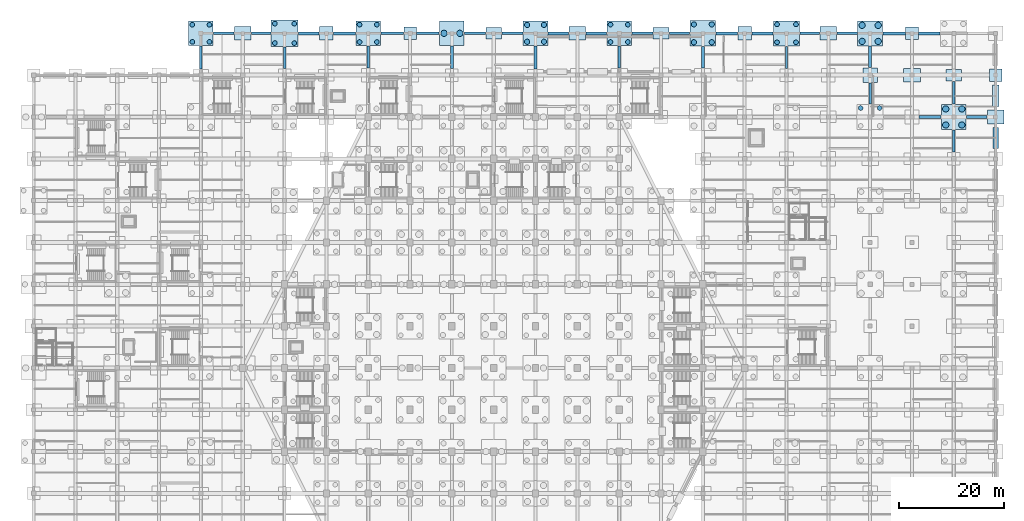
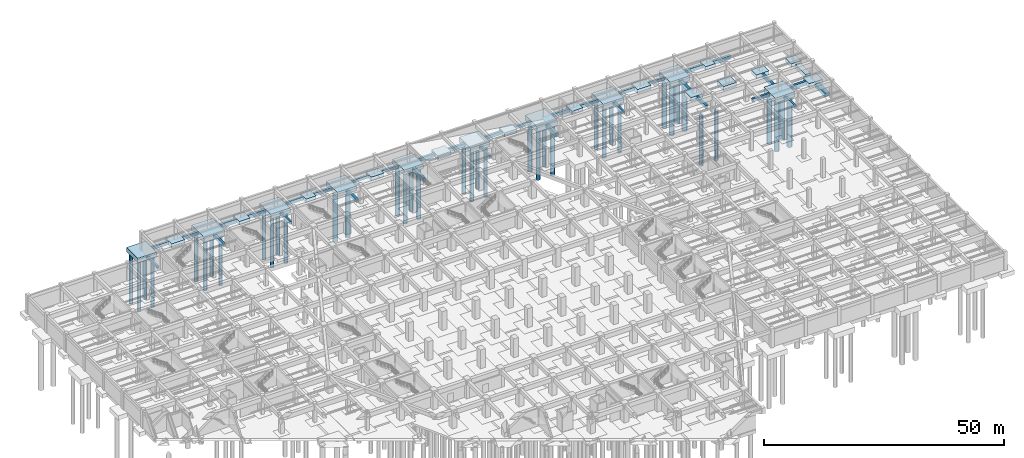
# One storey, part 15 of 36: 58 footings, 40 piles.
"""IFC4 building model written with IfcOpenShell, lengths in metres."""

from ifc_helpers import new_model, si_unit, direction, frame, origin, origin_2d, place, context, subcontext, project, spatial, rectangle, circle, extrude, material, material_profile, profile_set, type_object, element, save


model = new_model("IFC4")

# Units and contexts
model_context = context("Model", 3, precision=1e-05, world=origin(), true_north=direction((0.0, 1.0)))
body_context = subcontext(model_context, "Body", "Model", "MODEL_VIEW")
ifc_project = project(units=[si_unit("LENGTHUNIT", "METRE"), si_unit("AREAUNIT", "SQUARE_METRE"), si_unit("VOLUMEUNIT", "CUBIC_METRE"), si_unit("PLANEANGLEUNIT", "RADIAN"), si_unit("MASSUNIT", "GRAM", prefix="KILO")], contexts=[model_context])

# Site, building, storey
site_placement = place(None, origin())
site = spatial("IfcSite", under=ifc_project, at=site_placement, CompositionType="ELEMENT")
building_placement = place(site_placement, origin())
building = spatial("IfcBuilding", under=site, at=building_placement, Name="Tazarka Park Arena", CompositionType="ELEMENT")
storey_placement = place(building_placement, frame((0.0, 0.0, -4.800048828125)))
storey = spatial("IfcBuildingStorey", under=building, at=storey_placement, Name="B1", CompositionType="ELEMENT", Elevation=-4.800048828125)

# Footings
ifc_material_1 = material(Name="Concrete C35/45", Category="concrete")
footing_type_1 = type_object("IfcFootingType", Name="CAP-PC-01", PredefinedType="PILE_CAP", material=ifc_material_1)
for number, where, z_axis, x_axis, name in (
    (1, (64.0, 128.0, -1.19970703125), (0.0, 0.0, 1.0), (1.0, 0.0, 0.0), "CAP-G-08-16"),
    (2, (80.0, 128.0, -1.19970703125), (0.0, 0.0, 1.0), (1.0, 0.0, 0.0), "CAP-G-10-16"),
    (3, (96.0, 128.0, -1.19970703125), (0.0, 0.0, 1.0), (1.0, 0.0, 0.0), "CAP-G-12-16"),
    (4, (112.0, 128.0, -1.19970703125), (0.0, 0.0, 1.0), (1.0, 0.0, 0.0), "CAP-G-14-16"),
):
    element("IfcFooting", number, at=place(storey_placement, frame(where, z_axis=z_axis, x_axis=x_axis)), inside=storey, type_object=footing_type_1, Name=name, PredefinedType="PILE_CAP", context=body_context, shape_type="SweptSolid", body=[
        extrude(rectangle(XDim=4.699951171875, YDim=4.699951171875, at=origin_2d()), origin(), (0.0, 0.0, 1.0), 1.199951171875),
    ])
ifc_material_2 = material(Name="Concrete C35/45", Category="concrete")
footing_type_2 = type_object("IfcFootingType", Name="CAP-PC-02", PredefinedType="PILE_CAP", material=ifc_material_2)
footing_1_placement = place(storey_placement, frame((128.0, 128.0, -1.39990234375), z_axis=(0.0, 0.0, 1.0), x_axis=(1.0, 0.0, 0.0)))
element("IfcFooting", 5, at=footing_1_placement, inside=storey, type_object=footing_type_2, Name="CAP-G-16-16", PredefinedType="PILE_CAP", context=body_context, shape_type="SweptSolid", body=[
    extrude(rectangle(XDim=4.89990234375, YDim=4.89990234375, at=origin_2d()), origin(), (0.0, 0.0, 1.0), 1.39990234375),
])
ifc_material_3 = material(Name="Concrete C35/45", Category="concrete")
footing_type_3 = type_object("IfcFootingType", Name="CAP-PC-04", PredefinedType="PILE_CAP", material=ifc_material_3)
footing_2_placement = place(storey_placement, frame((144.0, 128.0, -1.2998046875), z_axis=(0.0, 0.0, 1.0), x_axis=(1.0, 0.0, 0.0)))
element("IfcFooting", 6, at=footing_2_placement, inside=storey, type_object=footing_type_3, Name="CAP-G-18-16", PredefinedType="PILE_CAP", context=body_context, shape_type="SweptSolid", body=[
    extrude(rectangle(XDim=5.0, YDim=4.800048828125, at=origin_2d()), origin(), (0.0, 0.0, 1.0), 1.300048828125),
])
ifc_material_4 = material(Name="Concrete C35/45", Category="concrete")
footing_type_4 = type_object("IfcFootingType", Name="CAP-PC-06", PredefinedType="PILE_CAP", material=ifc_material_4)
for number, where, z_axis, x_axis, name in (
    (7, (160.0, 128.0, -1.25), (0.0, 0.0, 1.0), (1.0, 0.0, 0.0), "CAP-G-20-16"),
    (8, (176.0, 112.0, -1.25), (0.0, 0.0, 1.0), (1.0, 0.0, 0.0), "CAP-G-22-14"),
):
    element("IfcFooting", number, at=place(storey_placement, frame(where, z_axis=z_axis, x_axis=x_axis)), inside=storey, type_object=footing_type_4, Name=name, PredefinedType="PILE_CAP", context=body_context, shape_type="SweptSolid", body=[
        extrude(rectangle(XDim=4.75, YDim=4.75, at=origin_2d()), origin(), (0.0, 0.0, 1.0), 1.25),
    ])
ifc_material_5 = material(Name="Concrete C35/45", Category="concrete")
footing_type_5 = type_object("IfcFootingType", Name="CAP-PC-07", PredefinedType="PILE_CAP", material=ifc_material_5)
footing_3_placement = place(storey_placement, frame((32.0, 128.0, -1.14990234375), z_axis=(0.0, 0.0, 1.0), x_axis=(1.0, 0.0, 0.0)))
element("IfcFooting", 9, at=footing_3_placement, inside=storey, type_object=footing_type_5, Name="CAP-G-04-16", PredefinedType="PILE_CAP", context=body_context, shape_type="SweptSolid", body=[
    extrude(rectangle(XDim=4.64990234375, YDim=4.64990234375, at=origin_2d()), origin(), (0.0, 0.0, 1.0), 1.14990234375),
])
ifc_material_6 = material(Name="Concrete C35/45", Category="concrete")
footing_type_6 = type_object("IfcFootingType", Name="CAP-PC-08", PredefinedType="PILE_CAP", material=ifc_material_6)
footing_4_placement = place(storey_placement, frame((48.0, 128.0, -1.35009765625), z_axis=(0.0, 0.0, 1.0), x_axis=(1.0, 0.0, 0.0)))
element("IfcFooting", 10, at=footing_4_placement, inside=storey, type_object=footing_type_6, Name="CAP-G-06-16", PredefinedType="PILE_CAP", context=body_context, shape_type="SweptSolid", body=[
    extrude(rectangle(XDim=5.10009765625, YDim=5.10009765625, at=origin_2d()), origin(), (0.0, 0.0, 1.0), 1.35009765625),
])
ifc_material_7 = material(Name="Concrete C35/45", Category="concrete")
ifc_material_profile_1 = material_profile(ifc_material_7, rectangle(XDim=0.449951171875, YDim=0.699951171875, at=origin_2d()), Name="Concrete C35/45")
ifc_profile_set_1 = profile_set([ifc_material_profile_1], Name="Concrete C35/45")
footing_type_7 = type_object("IfcFootingType", Name="GB-GB-01", PredefinedType="FOOTING_BEAM", material=ifc_profile_set_1)
footing_5_placement = place(storey_placement, frame((32.0, 121.179931640625, -0.349853515625), z_axis=(0.0, 1.0, 0.0), x_axis=(-1.0, 0.0, 0.0)))
element("IfcFooting", 11, at=footing_5_placement, inside=storey, type_object=footing_type_7, Name="GB-Y-04-15", PredefinedType="FOOTING_BEAM", context=body_context, shape_type="SweptSolid", body=[
    extrude(rectangle(XDim=0.449951171875, YDim=0.699951171875, at=origin_2d()), origin(), (0.0, 0.0, 1.0), 4.4150390625),
])
footing_6_placement = place(storey_placement, frame((64.0, 121.3798828125, -0.349853515625), z_axis=(0.0, 1.0, 0.0), x_axis=(-1.0, 0.0, 0.0)))
element("IfcFooting", 12, at=footing_6_placement, inside=storey, type_object=footing_type_7, Name="GB-Y-08-15", PredefinedType="FOOTING_BEAM", context=body_context, shape_type="SweptSolid", body=[
    extrude(rectangle(XDim=0.449951171875, YDim=0.699951171875, at=origin_2d()), origin(), (0.0, 0.0, 1.0), 4.190185546875),
])
for number, where, z_axis, x_axis, name in (
    (13, (82.429931640625, 128.0, -0.349853515625), (1.0, 0.0, 0.0), (0.0, 1.0, 0.0), "GB-X-10-16"),
    (14, (89.580078125, 128.0, -0.349853515625), (1.0, 0.0, 0.0), (0.0, 1.0, 0.0), "GB-X-11-16"),
):
    element("IfcFooting", number, at=place(storey_placement, frame(where, z_axis=z_axis, x_axis=x_axis)), inside=storey, type_object=footing_type_7, Name=name, PredefinedType="FOOTING_BEAM", context=body_context, shape_type="SweptSolid", body=[
        extrude(rectangle(XDim=0.449951171875, YDim=0.699951171875, at=origin_2d()), origin(), (0.0, 0.0, 1.0), 3.989990234375),
    ])
footing_7_placement = place(storey_placement, frame((112.0, 121.3798828125, -0.349853515625), z_axis=(0.0, 1.0, 0.0), x_axis=(-1.0, 0.0, 0.0)))
element("IfcFooting", 15, at=footing_7_placement, inside=storey, type_object=footing_type_7, Name="GB-Y-14-15", PredefinedType="FOOTING_BEAM", context=body_context, shape_type="SweptSolid", body=[
    extrude(rectangle(XDim=0.449951171875, YDim=0.699951171875, at=origin_2d()), origin(), (0.0, 0.0, 1.0), 4.190185546875),
])
footing_8_placement = place(storey_placement, frame((121.580078125, 128.0, -0.349853515625), z_axis=(1.0, 0.0, 0.0), x_axis=(0.0, 1.0, 0.0)))
element("IfcFooting", 16, at=footing_8_placement, inside=storey, type_object=footing_type_7, Name="GB-X-15-16", PredefinedType="FOOTING_BEAM", context=body_context, shape_type="SweptSolid", body=[
    extrude(rectangle(XDim=0.449951171875, YDim=0.699951171875, at=origin_2d()), origin(), (0.0, 0.0, 1.0), 3.889892578125),
])
footing_9_placement = place(storey_placement, frame((144.0, 121.280029296875, -0.349853515625), z_axis=(0.0, 1.0, 0.0), x_axis=(-1.0, 0.0, 0.0)))
element("IfcFooting", 17, at=footing_9_placement, inside=storey, type_object=footing_type_7, Name="GB-Y-18-15", PredefinedType="FOOTING_BEAM", context=body_context, shape_type="SweptSolid", body=[
    extrude(rectangle(XDim=0.449951171875, YDim=0.699951171875, at=origin_2d()), origin(), (0.0, 0.0, 1.0), 4.239990234375),
])
footing_10_placement = place(storey_placement, frame((153.679931640625, 128.0, -0.349853515625), z_axis=(1.0, 0.0, 0.0), x_axis=(0.0, 1.0, 0.0)))
element("IfcFooting", 18, at=footing_10_placement, inside=storey, type_object=footing_type_7, Name="GB-X-19-16", PredefinedType="FOOTING_BEAM", context=body_context, shape_type="SweptSolid", body=[
    extrude(rectangle(XDim=0.449951171875, YDim=0.699951171875, at=origin_2d()), origin(), (0.0, 0.0, 1.0), 3.864990234375),
])
ifc_material_8 = material(Name="Concrete C35/45", Category="concrete")
ifc_material_profile_2 = material_profile(ifc_material_8, rectangle(XDim=0.5, YDim=0.800048828125, at=origin_2d()), Name="Concrete C35/45")
ifc_profile_set_2 = profile_set([ifc_material_profile_2], Name="Concrete C35/45")
footing_type_8 = type_object("IfcFootingType", Name="GB-GB-02", PredefinedType="FOOTING_BEAM", material=ifc_profile_set_2)
footing_11_placement = place(storey_placement, frame((34.405029296875, 128.0, -0.39990234375), z_axis=(1.0, 0.0, 0.0), x_axis=(0.0, 1.0, 0.0)))
element("IfcFooting", 19, at=footing_11_placement, inside=storey, type_object=footing_type_8, Name="GB-X-04-16", PredefinedType="FOOTING_BEAM", context=body_context, shape_type="SweptSolid", body=[
    extrude(rectangle(XDim=0.5, YDim=0.800048828125, at=origin_2d()), origin(), (0.0, 0.0, 1.0), 3.9150390625),
])
footing_12_placement = place(storey_placement, frame((41.679931640625, 128.0, -0.39990234375), z_axis=(1.0, 0.0, 0.0), x_axis=(0.0, 1.0, 0.0)))
element("IfcFooting", 20, at=footing_12_placement, inside=storey, type_object=footing_type_8, Name="GB-X-05-16", PredefinedType="FOOTING_BEAM", context=body_context, shape_type="SweptSolid", body=[
    extrude(rectangle(XDim=0.5, YDim=0.800048828125, at=origin_2d()), origin(), (0.0, 0.0, 1.0), 3.690185546875),
])
footing_13_placement = place(storey_placement, frame((48.0, 121.280029296875, -0.39990234375), z_axis=(0.0, 1.0, 0.0), x_axis=(-1.0, 0.0, 0.0)))
element("IfcFooting", 21, at=footing_13_placement, inside=storey, type_object=footing_type_8, Name="GB-Y-06-15", PredefinedType="FOOTING_BEAM", context=body_context, shape_type="SweptSolid", body=[
    extrude(rectangle(XDim=0.5, YDim=0.800048828125, at=origin_2d()), origin(), (0.0, 0.0, 1.0), 4.090087890625),
])
for number, where, z_axis, x_axis, name in (
    (22, (66.429931640625, 128.0, -0.39990234375), (1.0, 0.0, 0.0), (0.0, 1.0, 0.0), "GB-X-08-16"),
    (23, (73.280029296875, 128.0, -0.39990234375), (1.0, 0.0, 0.0), (0.0, 1.0, 0.0), "GB-X-09-16"),
):
    element("IfcFooting", number, at=place(storey_placement, frame(where, z_axis=z_axis, x_axis=x_axis)), inside=storey, type_object=footing_type_8, Name=name, PredefinedType="FOOTING_BEAM", context=body_context, shape_type="SweptSolid", body=[
        extrude(rectangle(XDim=0.5, YDim=0.800048828125, at=origin_2d()), origin(), (0.0, 0.0, 1.0), 4.2900390625),
    ])
footing_14_placement = place(storey_placement, frame((114.429931640625, 128.0, -0.39990234375), z_axis=(1.0, 0.0, 0.0), x_axis=(0.0, 1.0, 0.0)))
element("IfcFooting", 24, at=footing_14_placement, inside=storey, type_object=footing_type_8, Name="GB-X-14-16", PredefinedType="FOOTING_BEAM", context=body_context, shape_type="SweptSolid", body=[
    extrude(rectangle(XDim=0.5, YDim=0.800048828125, at=origin_2d()), origin(), (0.0, 0.0, 1.0), 3.989990234375),
])
footing_15_placement = place(storey_placement, frame((146.580078125, 128.0, -0.39990234375), z_axis=(1.0, 0.0, 0.0), x_axis=(0.0, 1.0, 0.0)))
element("IfcFooting", 25, at=footing_15_placement, inside=storey, type_object=footing_type_8, Name="GB-X-18-16", PredefinedType="FOOTING_BEAM", context=body_context, shape_type="SweptSolid", body=[
    extrude(rectangle(XDim=0.5, YDim=0.800048828125, at=origin_2d()), origin(), (0.0, 0.0, 1.0), 3.739990234375),
])
footing_16_placement = place(storey_placement, frame((160.0, 114.47998046875, -0.39990234375), z_axis=(0.0, 1.0, 0.0), x_axis=(-1.0, 0.0, 0.0)))
element("IfcFooting", 26, at=footing_16_placement, inside=storey, type_object=footing_type_8, Name="GB-Y-20-14", PredefinedType="FOOTING_BEAM", context=body_context, shape_type="SweptSolid", body=[
    extrude(rectangle(XDim=0.5, YDim=0.800048828125, at=origin_2d()), origin(), (0.0, 0.0, 1.0), 4.0400390625),
])
footing_17_placement = place(storey_placement, frame((169.3798828125, 112.0, -0.39990234375), z_axis=(1.0, 0.0, 0.0), x_axis=(0.0, 1.0, 0.0)))
element("IfcFooting", 27, at=footing_17_placement, inside=storey, type_object=footing_type_8, Name="GB-X-21-14", PredefinedType="FOOTING_BEAM", context=body_context, shape_type="SweptSolid", body=[
    extrude(rectangle(XDim=0.5, YDim=0.800048828125, at=origin_2d()), origin(), (0.0, 0.0, 1.0), 4.1650390625),
])
footing_18_placement = place(storey_placement, frame((176.0, 105.280029296875, -0.39990234375), z_axis=(0.0, 1.0, 0.0), x_axis=(-1.0, 0.0, 0.0)))
element("IfcFooting", 28, at=footing_18_placement, inside=storey, type_object=footing_type_8, Name="GB-Y-22-13", PredefinedType="FOOTING_BEAM", context=body_context, shape_type="SweptSolid", body=[
    extrude(rectangle(XDim=0.5, YDim=0.800048828125, at=origin_2d()), origin(), (0.0, 0.0, 1.0), 4.264892578125),
])
ifc_material_9 = material(Name="Concrete C35/45", Category="concrete")
ifc_material_profile_3 = material_profile(ifc_material_9, rectangle(XDim=0.60009765625, YDim=0.949951171875, at=origin_2d()), Name="Concrete C35/45")
ifc_profile_set_3 = profile_set([ifc_material_profile_3], Name="Concrete C35/45")
footing_type_9 = type_object("IfcFootingType", Name="GB-GB-03", PredefinedType="FOOTING_BEAM", material=ifc_profile_set_3)
footing_19_placement = place(storey_placement, frame((50.6298828125, 128.0, -0.474853515625), z_axis=(1.0, 0.0, 0.0), x_axis=(0.0, 1.0, 0.0)))
element("IfcFooting", 29, at=footing_19_placement, inside=storey, type_object=footing_type_9, Name="GB-X-06-16", PredefinedType="FOOTING_BEAM", context=body_context, shape_type="SweptSolid", body=[
    extrude(rectangle(XDim=0.60009765625, YDim=0.949951171875, at=origin_2d()), origin(), (0.0, 0.0, 1.0), 3.990234375),
])
footing_20_placement = place(storey_placement, frame((57.3798828125, 128.0, -0.474853515625), z_axis=(1.0, 0.0, 0.0), x_axis=(0.0, 1.0, 0.0)))
element("IfcFooting", 30, at=footing_20_placement, inside=storey, type_object=footing_type_9, Name="GB-X-07-16", PredefinedType="FOOTING_BEAM", context=body_context, shape_type="SweptSolid", body=[
    extrude(rectangle(XDim=0.60009765625, YDim=0.949951171875, at=origin_2d()), origin(), (0.0, 0.0, 1.0), 4.190185546875),
])
footing_21_placement = place(storey_placement, frame((96.0, 121.179931640625, -0.474853515625), z_axis=(0.0, 1.0, 0.0), x_axis=(-1.0, 0.0, 0.0)))
element("IfcFooting", 31, at=footing_21_placement, inside=storey, type_object=footing_type_9, Name="GB-Y-12-15", PredefinedType="FOOTING_BEAM", context=body_context, shape_type="SweptSolid", body=[
    extrude(rectangle(XDim=0.60009765625, YDim=0.949951171875, at=origin_2d()), origin(), (0.0, 0.0, 1.0), 4.39013671875),
])
footing_22_placement = place(storey_placement, frame((128.0, 121.3798828125, -0.474853515625), z_axis=(0.0, 1.0, 0.0), x_axis=(-1.0, 0.0, 0.0)))
element("IfcFooting", 32, at=footing_22_placement, inside=storey, type_object=footing_type_9, Name="GB-Y-16-15", PredefinedType="FOOTING_BEAM", context=body_context, shape_type="SweptSolid", body=[
    extrude(rectangle(XDim=0.60009765625, YDim=0.949951171875, at=origin_2d()), origin(), (0.0, 0.0, 1.0), 4.090087890625),
])
footing_23_placement = place(storey_placement, frame((137.3798828125, 128.0, -0.474853515625), z_axis=(1.0, 0.0, 0.0), x_axis=(0.0, 1.0, 0.0)))
element("IfcFooting", 33, at=footing_23_placement, inside=storey, type_object=footing_type_9, Name="GB-X-17-16", PredefinedType="FOOTING_BEAM", context=body_context, shape_type="SweptSolid", body=[
    extrude(rectangle(XDim=0.60009765625, YDim=0.949951171875, at=origin_2d()), origin(), (0.0, 0.0, 1.0), 4.0400390625),
])
footing_24_placement = place(storey_placement, frame((160.0, 121.47998046875, -0.474853515625), z_axis=(0.0, 1.0, 0.0), x_axis=(-1.0, 0.0, 0.0)))
element("IfcFooting", 34, at=footing_24_placement, inside=storey, type_object=footing_type_9, Name="GB-Y-20-15", PredefinedType="FOOTING_BEAM", context=body_context, shape_type="SweptSolid", body=[
    extrude(rectangle(XDim=0.60009765625, YDim=0.949951171875, at=origin_2d()), origin(), (0.0, 0.0, 1.0), 4.06494140625),
])
footing_25_placement = place(storey_placement, frame((169.280029296875, 128.0, -0.474853515625), z_axis=(1.0, 0.0, 0.0), x_axis=(0.0, 1.0, 0.0)))
element("IfcFooting", 35, at=footing_25_placement, inside=storey, type_object=footing_type_9, Name="GB-X-21-16", PredefinedType="FOOTING_BEAM", context=body_context, shape_type="SweptSolid", body=[
    extrude(rectangle(XDim=0.60009765625, YDim=0.949951171875, at=origin_2d()), origin(), (0.0, 0.0, 1.0), 4.090087890625),
])
footing_26_placement = place(storey_placement, frame((178.455078125, 112.0, -0.474853515625), z_axis=(1.0, 0.0, 0.0), x_axis=(0.0, 1.0, 0.0)))
element("IfcFooting", 36, at=footing_26_placement, inside=storey, type_object=footing_type_9, Name="GB-X-22-14", PredefinedType="FOOTING_BEAM", context=body_context, shape_type="SweptSolid", body=[
    extrude(rectangle(XDim=0.60009765625, YDim=0.949951171875, at=origin_2d()), origin(), (0.0, 0.0, 1.0), 3.864990234375),
])
ifc_material_10 = material(Name="Concrete C35/45", Category="concrete")
ifc_material_profile_4 = material_profile(ifc_material_10, rectangle(XDim=0.550048828125, YDim=0.85009765625, at=origin_2d()), Name="Concrete C35/45")
ifc_profile_set_4 = profile_set([ifc_material_profile_4], Name="Concrete C35/45")
footing_type_10 = type_object("IfcFootingType", Name="GB-GB-04", PredefinedType="FOOTING_BEAM", material=ifc_profile_set_4)
footing_27_placement = place(storey_placement, frame((80.0, 121.280029296875, -0.425048828125), z_axis=(0.0, 1.0, 0.0), x_axis=(-1.0, 0.0, 0.0)))
element("IfcFooting", 37, at=footing_27_placement, inside=storey, type_object=footing_type_10, Name="GB-Y-10-15", PredefinedType="FOOTING_BEAM", context=body_context, shape_type="SweptSolid", body=[
    extrude(rectangle(XDim=0.550048828125, YDim=0.85009765625, at=origin_2d()), origin(), (0.0, 0.0, 1.0), 4.2900390625),
])
for number, where, z_axis, x_axis, name in (
    (38, (98.429931640625, 128.0, -0.425048828125), (1.0, 0.0, 0.0), (0.0, 1.0, 0.0), "GB-X-12-16"),
    (39, (105.679931640625, 128.0, -0.425048828125), (1.0, 0.0, 0.0), (0.0, 1.0, 0.0), "GB-X-13-16"),
):
    element("IfcFooting", number, at=place(storey_placement, frame(where, z_axis=z_axis, x_axis=x_axis)), inside=storey, type_object=footing_type_10, Name=name, PredefinedType="FOOTING_BEAM", context=body_context, shape_type="SweptSolid", body=[
        extrude(rectangle(XDim=0.550048828125, YDim=0.85009765625, at=origin_2d()), origin(), (0.0, 0.0, 1.0), 3.89013671875),
    ])
footing_28_placement = place(storey_placement, frame((130.530029296875, 128.0, -0.425048828125), z_axis=(1.0, 0.0, 0.0), x_axis=(0.0, 1.0, 0.0)))
element("IfcFooting", 40, at=footing_28_placement, inside=storey, type_object=footing_type_10, Name="GB-X-16-16", PredefinedType="FOOTING_BEAM", context=body_context, shape_type="SweptSolid", body=[
    extrude(rectangle(XDim=0.550048828125, YDim=0.85009765625, at=origin_2d()), origin(), (0.0, 0.0, 1.0), 4.090087890625),
])
footing_29_placement = place(storey_placement, frame((162.455078125, 128.0, -0.425048828125), z_axis=(1.0, 0.0, 0.0), x_axis=(0.0, 1.0, 0.0)))
element("IfcFooting", 41, at=footing_29_placement, inside=storey, type_object=footing_type_10, Name="GB-X-20-16", PredefinedType="FOOTING_BEAM", context=body_context, shape_type="SweptSolid", body=[
    extrude(rectangle(XDim=0.550048828125, YDim=0.85009765625, at=origin_2d()), origin(), (0.0, 0.0, 1.0), 4.264892578125),
])
footing_30_placement = place(storey_placement, frame((176.0, 114.455078125, -0.425048828125), z_axis=(0.0, 1.0, 0.0), x_axis=(-1.0, 0.0, 0.0)))
element("IfcFooting", 42, at=footing_30_placement, inside=storey, type_object=footing_type_10, Name="GB-Y-22-14", PredefinedType="FOOTING_BEAM", context=body_context, shape_type="SweptSolid", body=[
    extrude(rectangle(XDim=0.550048828125, YDim=0.85009765625, at=origin_2d()), origin(), (0.0, 0.0, 1.0), 4.364990234375),
])
ifc_material_11 = material(Name="Concrete C35/45", Category="concrete")
footing_type_11 = type_object("IfcFootingType", Name="PAD-PF-01", PredefinedType="PAD_FOOTING", material=ifc_material_11)
for number, where, z_axis, x_axis, name in (
    (43, (72.0, 128.0, -0.89990234375), (0.0, 0.0, 1.0), (1.0, 0.0, 0.0), "PAD-G-09-16"),
    (44, (168.0, 128.0, -0.89990234375), (0.0, 0.0, 1.0), (1.0, 0.0, 0.0), "PAD-G-21-16"),
    (45, (184.0, 120.0, -0.89990234375), (0.0, 0.0, 1.0), (1.0, 0.0, 0.0), "PAD-G-23-15"),
):
    element("IfcFooting", number, at=place(storey_placement, frame(where, z_axis=z_axis, x_axis=x_axis)), inside=storey, type_object=footing_type_11, Name=name, PredefinedType="PAD_FOOTING", context=body_context, shape_type="SweptSolid", body=[
        extrude(rectangle(XDim=2.39990234375, YDim=2.39990234375, at=origin_2d()), origin(), (0.0, 0.0, 1.0), 0.89990234375),
    ])
ifc_material_12 = material(Name="Concrete C35/45", Category="concrete")
footing_type_12 = type_object("IfcFootingType", Name="PAD-PF-02", PredefinedType="PAD_FOOTING", material=ifc_material_12)
footing_31_placement = place(storey_placement, frame((160.0, 120.0, -1.0), z_axis=(0.0, 0.0, 1.0), x_axis=(1.0, 0.0, 0.0)))
element("IfcFooting", 46, at=footing_31_placement, inside=storey, type_object=footing_type_12, Name="PAD-G-20-15", PredefinedType="PAD_FOOTING", context=body_context, shape_type="SweptSolid", body=[
    extrude(rectangle(XDim=2.800048828125, YDim=2.800048828125, at=origin_2d()), origin(), (0.0, 0.0, 1.0), 1.0),
])
ifc_material_13 = material(Name="Concrete C35/45", Category="concrete")
footing_type_13 = type_object("IfcFootingType", Name="PAD-PF-03", PredefinedType="PAD_FOOTING", material=ifc_material_13)
for number, where, z_axis, x_axis, name in (
    (47, (88.0, 128.0, -0.94970703125), (0.0, 0.0, 1.0), (1.0, 0.0, 0.0), "PAD-G-11-16"),
    (48, (120.0, 128.0, -0.94970703125), (0.0, 0.0, 1.0), (1.0, 0.0, 0.0), "PAD-G-15-16"),
    (49, (176.0, 120.0, -0.94970703125), (0.0, 0.0, 1.0), (1.0, 0.0, 0.0), "PAD-G-22-15"),
):
    element("IfcFooting", number, at=place(storey_placement, frame(where, z_axis=z_axis, x_axis=x_axis)), inside=storey, type_object=footing_type_13, Name=name, PredefinedType="PAD_FOOTING", context=body_context, shape_type="SweptSolid", body=[
        extrude(rectangle(XDim=3.0, YDim=2.199951171875, at=origin_2d()), origin(), (0.0, 0.0, 1.0), 0.949951171875),
    ])
ifc_material_14 = material(Name="Concrete C35/45", Category="concrete")
footing_type_14 = type_object("IfcFootingType", Name="PAD-PF-04", PredefinedType="PAD_FOOTING", material=ifc_material_14)
for number, where, z_axis, x_axis, name in (
    (50, (56.0, 128.0, -0.919921875), (0.0, 0.0, 1.0), (1.0, 0.0, 0.0), "PAD-G-07-16"),
    (51, (136.0, 128.0, -0.919921875), (0.0, 0.0, 1.0), (1.0, 0.0, 0.0), "PAD-G-17-16"),
):
    element("IfcFooting", number, at=place(storey_placement, frame(where, z_axis=z_axis, x_axis=x_axis)), inside=storey, type_object=footing_type_14, Name=name, PredefinedType="PAD_FOOTING", context=body_context, shape_type="SweptSolid", body=[
        extrude(rectangle(XDim=2.60009765625, YDim=2.60009765625, at=origin_2d()), origin(), (0.0, 0.0, 1.0), 0.919921875),
    ])
ifc_material_15 = material(Name="Concrete C35/45", Category="concrete")
footing_type_15 = type_object("IfcFootingType", Name="PAD-PF-05", PredefinedType="PAD_FOOTING", material=ifc_material_15)
for number, where, z_axis, x_axis, name in (
    (52, (40.0, 128.0, -1.0498046875), (0.0, 0.0, 1.0), (1.0, 0.0, 0.0), "PAD-G-05-16"),
    (53, (104.0, 128.0, -1.0498046875), (0.0, 0.0, 1.0), (1.0, 0.0, 0.0), "PAD-G-13-16"),
    (54, (152.0, 128.0, -1.0498046875), (0.0, 0.0, 1.0), (1.0, 0.0, 0.0), "PAD-G-19-16"),
    (55, (168.0, 120.0, -1.0498046875), (0.0, 0.0, 1.0), (1.0, 0.0, 0.0), "PAD-G-21-15"),
    (56, (184.0, 112.0, -1.0498046875), (0.0, 0.0, 1.0), (1.0, 0.0, 0.0), "PAD-G-23-14"),
):
    element("IfcFooting", number, at=place(storey_placement, frame(where, z_axis=z_axis, x_axis=x_axis)), inside=storey, type_object=footing_type_15, Name=name, PredefinedType="PAD_FOOTING", context=body_context, shape_type="SweptSolid", body=[
        extrude(rectangle(XDim=3.199951171875, YDim=2.60009765625, at=origin_2d()), origin(), (0.0, 0.0, 1.0), 1.050048828125),
    ])

# Piles
ifc_material_16 = material(Name="Concrete C35/45", Category="concrete")
ifc_material_profile_5 = material_profile(ifc_material_16, circle(Radius=0.5, at=origin_2d()), Name="Concrete C35/45")
ifc_profile_set_5 = profile_set([ifc_material_profile_5], Name="Concrete C35/45")
pile_type_1 = type_object("IfcPileType", Name="PILE-D1000", PredefinedType="BORED", material=ifc_profile_set_5)
for number, where, z_axis, x_axis, name in (
    (57, (94.389892578125, 126.389892578125, -1.099853515625), (0.0, 0.0, -1.0), (1.0, 0.0, 0.0), "PLN-G-12-16-1"),
    (58, (97.610107421875, 126.389892578125, -1.099853515625), (0.0, 0.0, -1.0), (1.0, 0.0, 0.0), "PLN-G-12-16-2"),
    (59, (94.389892578125, 129.610107421875, -1.099853515625), (0.0, 0.0, -1.0), (1.0, 0.0, 0.0), "PLN-G-12-16-3"),
    (60, (97.610107421875, 129.610107421875, -1.099853515625), (0.0, 0.0, -1.0), (1.0, 0.0, 0.0), "PLN-G-12-16-4"),
):
    element("IfcPile", number, at=place(storey_placement, frame(where, z_axis=z_axis, x_axis=x_axis)), inside=storey, type_object=pile_type_1, Name=name, PredefinedType="BORED", context=body_context, shape_type="SweptSolid", body=[
        extrude(circle(Radius=0.5, at=origin_2d()), origin(), (0.0, 0.0, 1.0), 12.89990234375),
    ])
for number, where, z_axis, x_axis, name in (
    (61, (126.2900390625, 126.2900390625, -1.300048828125), (0.0, 0.0, -1.0), (1.0, 0.0, 0.0), "PLN-G-16-16-1"),
    (62, (129.7099609375, 126.2900390625, -1.300048828125), (0.0, 0.0, -1.0), (1.0, 0.0, 0.0), "PLN-G-16-16-2"),
    (63, (126.2900390625, 129.7099609375, -1.300048828125), (0.0, 0.0, -1.0), (1.0, 0.0, 0.0), "PLN-G-16-16-3"),
    (64, (129.7099609375, 129.7099609375, -1.300048828125), (0.0, 0.0, -1.0), (1.0, 0.0, 0.0), "PLN-G-16-16-4"),
):
    element("IfcPile", number, at=place(storey_placement, frame(where, z_axis=z_axis, x_axis=x_axis)), inside=storey, type_object=pile_type_1, Name=name, PredefinedType="BORED", context=body_context, shape_type="SweptSolid", body=[
        extrude(circle(Radius=0.5, at=origin_2d()), origin(), (0.0, 0.0, 1.0), 12.699951171875),
    ])
ifc_material_17 = material(Name="Concrete C35/45", Category="concrete")
ifc_material_profile_6 = material_profile(ifc_material_17, circle(Radius=0.60009765625, at=origin_2d()), Name="Concrete C35/45")
ifc_profile_set_6 = profile_set([ifc_material_profile_6], Name="Concrete C35/45")
pile_type_2 = type_object("IfcPileType", Name="PILE-D1200", PredefinedType="BORED", material=ifc_profile_set_6)
for number, where, z_axis, x_axis, name in (
    (65, (78.489990234375, 128.0, -1.099853515625), (0.0, 0.0, -1.0), (1.0, 0.0, 0.0), "PLN-G-10-16-1"),
    (66, (81.510009765625, 128.0, -1.099853515625), (0.0, 0.0, -1.0), (1.0, 0.0, 0.0), "PLN-G-10-16-2"),
):
    element("IfcPile", number, at=place(storey_placement, frame(where, z_axis=z_axis, x_axis=x_axis)), inside=storey, type_object=pile_type_2, Name=name, PredefinedType="BORED", context=body_context, shape_type="SweptSolid", body=[
        extrude(circle(Radius=0.60009765625, at=origin_2d()), origin(), (0.0, 0.0, 1.0), 12.89990234375),
    ])
for number, where, z_axis, x_axis, name in (
    (67, (158.465087890625, 126.465087890625, -1.14990234375), (0.0, 0.0, -1.0), (1.0, 0.0, 0.0), "PLN-G-20-16-1"),
    (68, (161.534912109375, 126.465087890625, -1.14990234375), (0.0, 0.0, -1.0), (1.0, 0.0, 0.0), "PLN-G-20-16-2"),
    (69, (158.465087890625, 129.534912109375, -1.14990234375), (0.0, 0.0, -1.0), (1.0, 0.0, 0.0), "PLN-G-20-16-3"),
    (70, (161.534912109375, 129.534912109375, -1.14990234375), (0.0, 0.0, -1.0), (1.0, 0.0, 0.0), "PLN-G-20-16-4"),
    (71, (174.465087890625, 110.465087890625, -1.14990234375), (0.0, 0.0, -1.0), (1.0, 0.0, 0.0), "PLN-G-22-14-1"),
    (72, (177.534912109375, 110.465087890625, -1.14990234375), (0.0, 0.0, -1.0), (1.0, 0.0, 0.0), "PLN-G-22-14-2"),
    (73, (174.465087890625, 113.534912109375, -1.14990234375), (0.0, 0.0, -1.0), (1.0, 0.0, 0.0), "PLN-G-22-14-3"),
    (74, (177.534912109375, 113.534912109375, -1.14990234375), (0.0, 0.0, -1.0), (1.0, 0.0, 0.0), "PLN-G-22-14-4"),
):
    element("IfcPile", number, at=place(storey_placement, frame(where, z_axis=z_axis, x_axis=x_axis)), inside=storey, type_object=pile_type_2, Name=name, PredefinedType="BORED", context=body_context, shape_type="SweptSolid", body=[
        extrude(circle(Radius=0.60009765625, at=origin_2d()), origin(), (0.0, 0.0, 1.0), 12.85009765625),
    ])
ifc_material_18 = material(Name="Concrete C35/45", Category="concrete")
ifc_material_profile_7 = material_profile(ifc_material_18, circle(Radius=0.449951171875, at=origin_2d()), Name="Concrete C35/45")
ifc_profile_set_7 = profile_set([ifc_material_profile_7], Name="Concrete C35/45")
pile_type_3 = type_object("IfcPileType", Name="PILE-D900", PredefinedType="BORED", material=ifc_profile_set_7)
for number, where, z_axis, x_axis, name in (
    (75, (30.364990234375, 126.364990234375, -1.050048828125), (0.0, 0.0, -1.0), (1.0, 0.0, 0.0), "PLN-G-04-16-1"),
    (76, (33.635009765625, 126.364990234375, -1.050048828125), (0.0, 0.0, -1.0), (1.0, 0.0, 0.0), "PLN-G-04-16-2"),
    (77, (30.364990234375, 129.635009765625, -1.050048828125), (0.0, 0.0, -1.0), (1.0, 0.0, 0.0), "PLN-G-04-16-3"),
    (78, (33.635009765625, 129.635009765625, -1.050048828125), (0.0, 0.0, -1.0), (1.0, 0.0, 0.0), "PLN-G-04-16-4"),
):
    element("IfcPile", number, at=place(storey_placement, frame(where, z_axis=z_axis, x_axis=x_axis)), inside=storey, type_object=pile_type_3, Name=name, PredefinedType="BORED", context=body_context, shape_type="SweptSolid", body=[
        extrude(circle(Radius=0.449951171875, at=origin_2d()), origin(), (0.0, 0.0, 1.0), 12.949951171875),
    ])
for number, where, z_axis, x_axis, name in (
    (79, (46.139892578125, 126.139892578125, -1.25), (0.0, 0.0, -1.0), (1.0, 0.0, 0.0), "PLN-G-06-16-1"),
    (80, (49.860107421875, 126.139892578125, -1.25), (0.0, 0.0, -1.0), (1.0, 0.0, 0.0), "PLN-G-06-16-2"),
    (81, (46.139892578125, 129.860107421875, -1.25), (0.0, 0.0, -1.0), (1.0, 0.0, 0.0), "PLN-G-06-16-3"),
    (82, (49.860107421875, 129.860107421875, -1.25), (0.0, 0.0, -1.0), (1.0, 0.0, 0.0), "PLN-G-06-16-4"),
):
    element("IfcPile", number, at=place(storey_placement, frame(where, z_axis=z_axis, x_axis=x_axis)), inside=storey, type_object=pile_type_3, Name=name, PredefinedType="BORED", context=body_context, shape_type="SweptSolid", body=[
        extrude(circle(Radius=0.449951171875, at=origin_2d()), origin(), (0.0, 0.0, 1.0), 12.75),
    ])
for number, where, z_axis, x_axis, name in (
    (83, (62.340087890625, 126.340087890625, -1.099853515625), (0.0, 0.0, -1.0), (1.0, 0.0, 0.0), "PLN-G-08-16-1"),
    (84, (65.659912109375, 126.340087890625, -1.099853515625), (0.0, 0.0, -1.0), (1.0, 0.0, 0.0), "PLN-G-08-16-2"),
    (85, (62.340087890625, 129.659912109375, -1.099853515625), (0.0, 0.0, -1.0), (1.0, 0.0, 0.0), "PLN-G-08-16-3"),
    (86, (65.659912109375, 129.659912109375, -1.099853515625), (0.0, 0.0, -1.0), (1.0, 0.0, 0.0), "PLN-G-08-16-4"),
    (87, (110.340087890625, 126.340087890625, -1.099853515625), (0.0, 0.0, -1.0), (1.0, 0.0, 0.0), "PLN-G-14-16-1"),
    (88, (113.659912109375, 126.340087890625, -1.099853515625), (0.0, 0.0, -1.0), (1.0, 0.0, 0.0), "PLN-G-14-16-2"),
    (89, (110.340087890625, 129.659912109375, -1.099853515625), (0.0, 0.0, -1.0), (1.0, 0.0, 0.0), "PLN-G-14-16-3"),
    (90, (113.659912109375, 129.659912109375, -1.099853515625), (0.0, 0.0, -1.0), (1.0, 0.0, 0.0), "PLN-G-14-16-4"),
):
    element("IfcPile", number, at=place(storey_placement, frame(where, z_axis=z_axis, x_axis=x_axis)), inside=storey, type_object=pile_type_3, Name=name, PredefinedType="BORED", context=body_context, shape_type="SweptSolid", body=[
        extrude(circle(Radius=0.449951171875, at=origin_2d()), origin(), (0.0, 0.0, 1.0), 12.89990234375),
    ])
for number, where, z_axis, x_axis, name in (
    (91, (142.18994140625, 126.2900390625, -1.199951171875), (0.0, 0.0, -1.0), (1.0, 0.0, 0.0), "PLN-G-18-16-1"),
    (92, (145.81005859375, 126.2900390625, -1.199951171875), (0.0, 0.0, -1.0), (1.0, 0.0, 0.0), "PLN-G-18-16-2"),
    (93, (142.18994140625, 129.7099609375, -1.199951171875), (0.0, 0.0, -1.0), (1.0, 0.0, 0.0), "PLN-G-18-16-3"),
    (94, (145.81005859375, 129.7099609375, -1.199951171875), (0.0, 0.0, -1.0), (1.0, 0.0, 0.0), "PLN-G-18-16-4"),
    (95, (158.18994140625, 113.7099609375, -1.199951171875), (0.0, 0.0, -1.0), (1.0, 0.0, 0.0), "PLN-G-20-14-3"),
    (96, (161.81005859375, 113.7099609375, -1.199951171875), (0.0, 0.0, -1.0), (1.0, 0.0, 0.0), "PLN-G-20-14-4"),
):
    element("IfcPile", number, at=place(storey_placement, frame(where, z_axis=z_axis, x_axis=x_axis)), inside=storey, type_object=pile_type_3, Name=name, PredefinedType="BORED", context=body_context, shape_type="SweptSolid", body=[
        extrude(circle(Radius=0.449951171875, at=origin_2d()), origin(), (0.0, 0.0, 1.0), 12.800048828125),
    ])

# Footings
ifc_material_19 = material(Name="Concrete C35/45", Category="concrete")
ifc_material_profile_8 = material_profile(ifc_material_19, rectangle(XDim=1.10009765625, YDim=0.89990234375, at=origin_2d()), Name="Concrete C35/45")
ifc_profile_set_8 = profile_set([ifc_material_profile_8], Name="Concrete C35/45")
footing_type_16 = type_object("IfcFootingType", Name="SF-SF-02", PredefinedType="STRIP_FOOTING", material=ifc_profile_set_8)
footing_32_placement = place(storey_placement, frame((184.0, 110.02001953125, -0.449951171875), z_axis=(0.0, -1.0, 0.0), x_axis=(1.0, 0.0, 0.0)))
element("IfcFooting", 97, at=footing_32_placement, inside=storey, type_object=footing_type_16, Name="SF-EW-0010", PredefinedType="STRIP_FOOTING", context=body_context, shape_type="SweptSolid", body=[
    extrude(rectangle(XDim=1.10009765625, YDim=0.89990234375, at=origin_2d()), origin(), (0.0, 0.0, 1.0), 4.0400390625),
])
ifc_material_20 = material(Name="Concrete C35/45", Category="concrete")
ifc_material_profile_9 = material_profile(ifc_material_20, rectangle(XDim=1.25, YDim=0.949951171875, at=origin_2d()), Name="Concrete C35/45")
ifc_profile_set_9 = profile_set([ifc_material_profile_9], Name="Concrete C35/45")
footing_type_17 = type_object("IfcFootingType", Name="SF-SF-03", PredefinedType="STRIP_FOOTING", material=ifc_profile_set_9)
footing_33_placement = place(storey_placement, frame((184.0, 118.1201171875, -0.474853515625), z_axis=(0.0, -1.0, 0.0), x_axis=(1.0, 0.0, 0.0)))
element("IfcFooting", 98, at=footing_33_placement, inside=storey, type_object=footing_type_17, Name="SF-EW-0011", PredefinedType="STRIP_FOOTING", context=body_context, shape_type="SweptSolid", body=[
    extrude(rectangle(XDim=1.25, YDim=0.949951171875, at=origin_2d()), origin(), (0.0, 0.0, 1.0), 4.14013671875),
])

save(model, "model.ifc")
